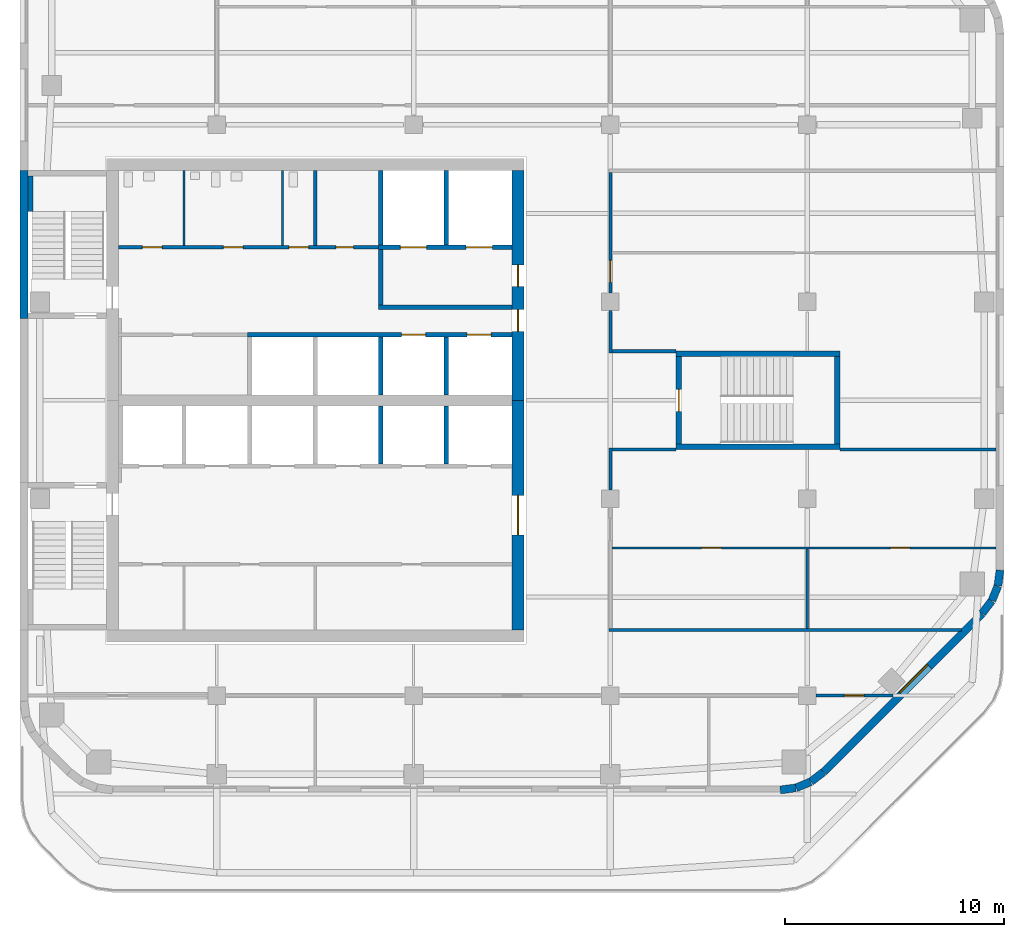
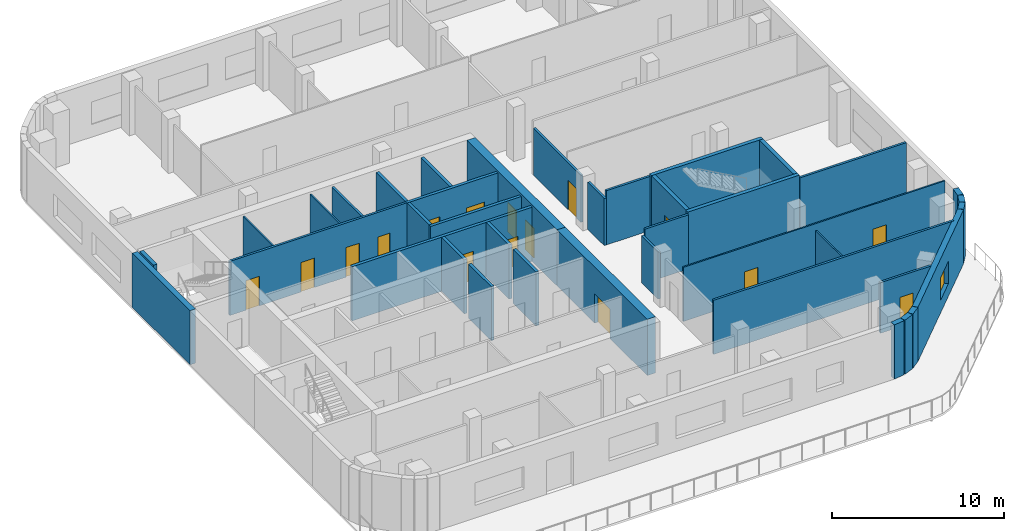
# One storey, part 4 of 8: 39 walls, 16 doors, 1 window, 17 openings.
"""IFC4 building model written with IfcOpenShell, lengths in metres."""

from ifc_helpers import new_model, si_unit, direction, frame, frame_2d, origin, place, context, subcontext, project, spatial, rectangle, extrude, material, layer, layer_set, type_object, element, fill, save


model = new_model("IFC4")

# Units and contexts
model_context = context("Model", 3, precision=1e-05, world=origin(), true_north=direction((0.0, 1.0)))
body_context = subcontext(model_context, "Body", "Model", "MODEL_VIEW")
ifc_project = project(units=[si_unit("LENGTHUNIT", "METRE"), si_unit("AREAUNIT", "SQUARE_METRE"), si_unit("VOLUMEUNIT", "CUBIC_METRE"), si_unit("PLANEANGLEUNIT", "RADIAN"), si_unit("MASSUNIT", "GRAM", prefix="KILO")], contexts=[model_context])

# Site, building, storey
site_placement = place(None, origin())
site = spatial("IfcSite", under=ifc_project, at=site_placement, CompositionType="ELEMENT")
building_placement = place(site_placement, origin())
building = spatial("IfcBuilding", under=site, at=building_placement, Name="Cinnabar Reach Civic Tower", CompositionType="ELEMENT")
storey_placement = place(building_placement, frame((0.0, 0.0, 198.0)))
storey = spatial("IfcBuildingStorey", under=building, at=storey_placement, Name="L47", CompositionType="ELEMENT", Elevation=198.0)

# Walls
ifc_material_1 = material(Name="Facing brick with insulated backing", Category="masonry")
ifc_layer_1 = layer(ifc_material_1, 0.36)
ifc_layer_set_1 = layer_set([ifc_layer_1], Name="Brick corner wall")
wall_type_1 = type_object("IfcWallType", Name="Brick corner wall", PredefinedType="STANDARD", material=ifc_layer_set_1)
for number, where, z_axis, x_axis, name in (
    (1, (34.7686, 13.683, 0.0), (0.0, 0.0, 1.0), (0.99144092581, 0.13055608231, 0.0), "Brick corner wall"),
    (2, (35.4973, 13.7819, 0.0), (0.0, 0.0, 1.0), (0.923871547278, 0.382702709855, 0.0), "Brick corner wall"),
):
    element("IfcWall", number, at=place(storey_placement, frame(where, z_axis=z_axis, x_axis=x_axis)), inside=storey, type_object=wall_type_1, Name=name, PredefinedType="STANDARD", context=body_context, shape_type="SweptSolid", body=[
        extrude(rectangle(XDim=0.7131, YDim=0.36, at=frame_2d((0.3565, 0.0))), origin(), (0.0, 0.0, 1.0), 3.85),
    ])
for number, where, z_axis, x_axis, name in (
    (3, (36.1755, 14.066, 0.0), (0.0, 0.0, 1.0), (0.793321924995, 0.608802368033, 0.0), "Brick corner wall"),
    (4, (43.9998, 21.7587, 0.0), (0.0, 0.0, 1.0), (0.608802368033, 0.793321924995, 0.0), "Brick corner wall"),
):
    element("IfcWall", number, at=place(storey_placement, frame(where, z_axis=z_axis, x_axis=x_axis)), inside=storey, type_object=wall_type_1, Name=name, PredefinedType="STANDARD", context=body_context, shape_type="SweptSolid", body=[
        extrude(rectangle(XDim=0.7132, YDim=0.36, at=frame_2d((0.3566, 0.0))), origin(), (0.0, 0.0, 1.0), 3.85),
    ])
for number, where, z_axis, x_axis, name in (
    (5, (44.4452, 22.3439, 0.0), (0.0, 0.0, 1.0), (0.382702709855, 0.923871547278, 0.0), "Brick corner wall"),
    (6, (44.7239, 23.0244, 0.0), (0.0, 0.0, 1.0), (0.13055608231, 0.99144092581, 0.0), "Brick corner wall"),
):
    element("IfcWall", number, at=place(storey_placement, frame(where, z_axis=z_axis, x_axis=x_axis)), inside=storey, type_object=wall_type_1, Name=name, PredefinedType="STANDARD", context=body_context, shape_type="SweptSolid", body=[
        extrude(rectangle(XDim=0.7131, YDim=0.36, at=frame_2d((0.3565, 0.0))), origin(), (0.0, 0.0, 1.0), 3.85),
    ])

# Wall, opening, window
ifc_layer_2 = layer(ifc_material_1, 0.36)
ifc_layer_set_2 = layer_set([ifc_layer_2], Name="Brick pier and spandrel wall")
wall_type_2 = type_object("IfcWallType", Name="Brick pier and spandrel wall", PredefinedType="STANDARD", material=ifc_layer_set_2)
wall_1_placement = place(storey_placement, frame((36.7514, 14.506, 0.0), z_axis=(0.0, 0.0, 1.0), x_axis=(0.707106781187, 0.707106781187, 0.0)))
wall_1 = element("IfcWall", 7, at=wall_1_placement, inside=storey, type_object=wall_type_2, Name="Brick facade wall", PredefinedType="STANDARD", context=body_context, shape_type="SweptSolid", body=[
    extrude(rectangle(XDim=10.2426, YDim=0.36, at=frame_2d((5.1213, 0.0))), origin(), (0.0, 0.0, 1.0), 3.85),
])
opening_1_placement = place(wall_1_placement, frame((5.0213, 0.0, 0.9)))
opening_1 = element("IfcOpeningElement", 8, at=opening_1_placement, cuts=wall_1, Name="Opening W1966", PredefinedType="OPENING", context=body_context, shape_type="SweptSolid", body=[
    extrude(rectangle(XDim=1.8, YDim=1.6, at=frame_2d((0.9, 0.8))), frame((0.0, 0.19, 0.0), z_axis=(0.0, -1.0, 0.0), x_axis=(1.0, 0.0, 0.0)), (0.0, 0.0, 1.0), 0.38),
])
ifc_material_2 = material(Name="Clear double glazing in aluminium frame", Category="aluminium")
window_type = type_object("IfcWindowType", Name="Deep-set window D", PartitioningType="SINGLE_PANEL", PredefinedType="WINDOW", material=ifc_material_2)
window_placement = place(opening_1_placement, origin())
window = element("IfcWindow", 9, at=window_placement, inside=storey, type_object=window_type, Name="Window southeast face", OverallHeight=1.6, OverallWidth=1.8, PartitioningType="SINGLE_PANEL", PredefinedType="WINDOW", context=body_context, shape_type="SweptSolid", body=[
    extrude(rectangle(XDim=1.8, YDim=1.6, at=frame_2d((0.9, 0.8))), frame((0.0, 0.13, 0.0), z_axis=(0.0, -1.0, 0.0), x_axis=(1.0, 0.0, 0.0)), (0.0, 0.0, 1.0), 0.06),
])
fill(opening_1, window)

# Wall
wall_2_placement = place(storey_placement, frame((0.18, 42.0, 0.0), z_axis=(0.0, 0.0, 1.0), x_axis=(0.0, -1.0, 0.0)))
element("IfcWall", 10, at=wall_2_placement, inside=storey, type_object=wall_type_2, Name="Brick facade wall", PredefinedType="STANDARD", context=body_context, shape_type="SweptSolid", body=[
    extrude(rectangle(XDim=6.75, YDim=0.36, at=frame_2d((3.375, 0.0))), origin(), (0.0, 0.0, 1.0), 3.85),
])

# Wall, opening, door
ifc_material_3 = material(Name="Concrete C60", Category="concrete")
ifc_layer_3 = layer(ifc_material_3, 0.55)
ifc_layer_set_3 = layer_set([ifc_layer_3], Name="Core wall 550 EI 180")
wall_type_3 = type_object("IfcWallType", Name="Core wall 550 EI 180", PredefinedType="SOLIDWALL", material=ifc_layer_set_3)
wall_3_placement = place(storey_placement, frame((22.775, 21.0, 0.0), z_axis=(0.0, 0.0, 1.0), x_axis=(0.0, 1.0, 0.0)))
wall_3 = element("IfcWall", 11, at=wall_3_placement, inside=storey, type_object=wall_type_3, Name="Core wall T1 L47 E", PredefinedType="SOLIDWALL", context=body_context, shape_type="SweptSolid", body=[
    extrude(rectangle(XDim=10.5, YDim=0.55, at=frame_2d((5.25, 0.0))), origin(), (0.0, 0.0, 1.0), 4.0),
])
opening_2_placement = place(wall_3_placement, frame((4.35, 0.0, 0.0)))
opening_2 = element("IfcOpeningElement", 12, at=opening_2_placement, cuts=wall_3, Name="Opening D4925", PredefinedType="OPENING", context=body_context, shape_type="SweptSolid", body=[
    extrude(rectangle(XDim=1.8, YDim=2.1, at=frame_2d((0.9, 1.05))), frame((0.0, 0.285, 0.0), z_axis=(0.0, -1.0, 0.0), x_axis=(1.0, 0.0, 0.0)), (0.0, 0.0, 1.0), 0.57),
])
ifc_material_4 = material(Name="Timber door leaf in steel frame", Category="steel")
door_type_1 = type_object("IfcDoorType", Name="Double swing door 1800 x 2100 T1", OperationType="DOUBLE_DOOR_DOUBLE_SWING", PredefinedType="DOOR", material=ifc_material_4)
door_1_placement = place(opening_2_placement, origin())
door_1 = element("IfcDoor", 13, at=door_1_placement, inside=storey, type_object=door_type_1, Name="Door D4925", OperationType="DOUBLE_DOOR_DOUBLE_SWING", OverallHeight=2.1, OverallWidth=1.8, PredefinedType="DOOR", context=body_context, shape_type="SweptSolid", body=[
    extrude(rectangle(XDim=1.8, YDim=2.1, at=frame_2d((0.9, 1.05))), frame((0.0, 0.025, 0.0), z_axis=(0.0, -1.0, 0.0), x_axis=(1.0, 0.0, 0.0)), (0.0, 0.0, 1.0), 0.05),
])
fill(opening_2, door_1)

# Wall, openings, doors
wall_4_placement = place(storey_placement, frame((22.775, 31.5, 0.0), z_axis=(0.0, 0.0, 1.0), x_axis=(0.0, 1.0, 0.0)))
wall_4 = element("IfcWall", 14, at=wall_4_placement, inside=storey, type_object=wall_type_3, Name="Core wall T1 L47 E2", PredefinedType="SOLIDWALL", context=body_context, shape_type="SweptSolid", body=[
    extrude(rectangle(XDim=10.5, YDim=0.55, at=frame_2d((5.25, 0.0))), origin(), (0.0, 0.0, 1.0), 4.0),
])
opening_3_placement = place(wall_4_placement, frame((3.15, 0.0, 0.0)))
opening_3 = element("IfcOpeningElement", 15, at=opening_3_placement, cuts=wall_4, Name="Opening D4926", PredefinedType="OPENING", context=body_context, shape_type="SweptSolid", body=[
    extrude(rectangle(XDim=1.0, YDim=2.1, at=frame_2d((0.5, 1.05))), frame((0.0, 0.285, 0.0), z_axis=(0.0, -1.0, 0.0), x_axis=(1.0, 0.0, 0.0)), (0.0, 0.0, 1.0), 0.57),
])
opening_4_placement = place(wall_4_placement, frame((5.2, 0.0, 0.0)))
opening_4 = element("IfcOpeningElement", 16, at=opening_4_placement, cuts=wall_4, Name="Opening D4927", PredefinedType="OPENING", context=body_context, shape_type="SweptSolid", body=[
    extrude(rectangle(XDim=1.0, YDim=2.1, at=frame_2d((0.5, 1.05))), frame((0.0, 0.285, 0.0), z_axis=(0.0, -1.0, 0.0), x_axis=(1.0, 0.0, 0.0)), (0.0, 0.0, 1.0), 0.57),
])
door_type_2 = type_object("IfcDoorType", Name="Firefighting lobby door 1000 x 2100 T1", OperationType="SINGLE_SWING_LEFT", PredefinedType="DOOR", material=ifc_material_4)
door_2_placement = place(opening_4_placement, origin())
door_2 = element("IfcDoor", 17, at=door_2_placement, inside=storey, type_object=door_type_2, Name="Door D4927", OperationType="SINGLE_SWING_LEFT", OverallHeight=2.1, OverallWidth=1.0, PredefinedType="DOOR", context=body_context, shape_type="SweptSolid", body=[
    extrude(rectangle(XDim=1.0, YDim=2.1, at=frame_2d((0.5, 1.05))), frame((0.0, 0.025, 0.0), z_axis=(0.0, -1.0, 0.0), x_axis=(1.0, 0.0, 0.0)), (0.0, 0.0, 1.0), 0.05),
])
fill(opening_4, door_2)
door_type_3 = type_object("IfcDoorType", Name="Single swing door 1000 x 2100 T1", OperationType="SINGLE_SWING_LEFT", PredefinedType="DOOR", material=ifc_material_4)
door_3_placement = place(opening_3_placement, origin())
door_3 = element("IfcDoor", 18, at=door_3_placement, inside=storey, type_object=door_type_3, Name="Door D4926", OperationType="SINGLE_SWING_RIGHT", OverallHeight=2.1, OverallWidth=1.0, PredefinedType="DOOR", context=body_context, shape_type="SweptSolid", body=[
    extrude(rectangle(XDim=1.0, YDim=2.1, at=frame_2d((0.5, 1.05))), frame((0.0, 0.025, 0.0), z_axis=(0.0, -1.0, 0.0), x_axis=(1.0, 0.0, 0.0)), (0.0, 0.0, 1.0), 0.05),
])
fill(opening_3, door_3)

# Wall, opening, door
ifc_material_5 = material(Name="Gypsum board on steel studs, double layer", Category="steel")
ifc_layer_4 = layer(ifc_material_5, 0.15)
ifc_layer_set_4 = layer_set([ifc_layer_4], Name="Corridor wall 150 T1")
wall_type_4 = type_object("IfcWallType", Name="Corridor wall 150 T1", PredefinedType="PARTITIONING", material=ifc_layer_set_4)
wall_5_placement = place(storey_placement, frame((36.4, 18.0, 0.0), z_axis=(0.0, 0.0, 1.0), x_axis=(1.0, 0.0, 0.0)))
wall_5 = element("IfcWall", 19, at=wall_5_placement, inside=storey, type_object=wall_type_4, Name="Corridor wall 19", PredefinedType="PARTITIONING", context=body_context, shape_type="SweptSolid", body=[
    extrude(rectangle(XDim=3.516, YDim=0.15, at=frame_2d((1.758, 0.0))), origin(), (0.0, 0.0, 1.0), 3.602),
])
opening_5_placement = place(wall_5_placement, frame((1.3, 0.0, 0.0)))
opening_5 = element("IfcOpeningElement", 20, at=opening_5_placement, cuts=wall_5, Name="Opening D4944", PredefinedType="OPENING", context=body_context, shape_type="SweptSolid", body=[
    extrude(rectangle(XDim=0.9, YDim=2.1, at=frame_2d((0.45, 1.05))), frame((0.0, 0.085, 0.0), z_axis=(0.0, -1.0, 0.0), x_axis=(1.0, 0.0, 0.0)), (0.0, 0.0, 1.0), 0.17),
])
door_type_4 = type_object("IfcDoorType", Name="Single swing door 900 x 2100 corridor T1", OperationType="SINGLE_SWING_LEFT", PredefinedType="DOOR", material=ifc_material_4)
door_4_placement = place(opening_5_placement, frame((0.9, 0.0, 0.0), z_axis=(0.0, 0.0, 1.0), x_axis=(-1.0, 0.0, 0.0)))
door_4 = element("IfcDoor", 21, at=door_4_placement, inside=storey, type_object=door_type_4, Name="Door D4944", OperationType="SINGLE_SWING_LEFT", OverallHeight=2.1, OverallWidth=0.9, PredefinedType="DOOR", context=body_context, shape_type="SweptSolid", body=[
    extrude(rectangle(XDim=0.9, YDim=2.1, at=frame_2d((0.45, 1.05))), frame((0.0, 0.025, 0.0), z_axis=(0.0, -1.0, 0.0), x_axis=(1.0, 0.0, 0.0)), (0.0, 0.0, 1.0), 0.05),
])
fill(opening_5, door_4)

# Wall
wall_6_placement = place(storey_placement, frame((26.925, 21.0, 0.0), z_axis=(0.0, 0.0, 1.0), x_axis=(1.0, 0.0, 0.0)))
element("IfcWall", 22, at=wall_6_placement, inside=storey, type_object=wall_type_4, Name="Corridor wall 26", PredefinedType="PARTITIONING", context=body_context, shape_type="SweptSolid", body=[
    extrude(rectangle(XDim=16.1409, YDim=0.15, at=frame_2d((8.0704, 0.0))), origin(), (0.0, 0.0, 1.0), 3.85),
])

# Wall, openings, doors
wall_7_placement = place(storey_placement, frame((4.5, 38.5, 0.0), z_axis=(0.0, 0.0, 1.0), x_axis=(1.0, 0.0, 0.0)))
wall_7 = element("IfcWall", 23, at=wall_7_placement, inside=storey, type_object=wall_type_4, Name="Corridor wall 27", PredefinedType="PARTITIONING", context=body_context, shape_type="SweptSolid", body=[
    extrude(rectangle(XDim=11.9, YDim=0.15, at=frame_2d((5.95, 0.0))), origin(), (0.0, 0.0, 1.0), 3.85),
])
opening_6_placement = place(wall_7_placement, frame((1.1, 0.0, 0.0)))
opening_6 = element("IfcOpeningElement", 24, at=opening_6_placement, cuts=wall_7, Name="Opening D4933", PredefinedType="OPENING", context=body_context, shape_type="SweptSolid", body=[
    extrude(rectangle(XDim=0.9, YDim=2.1, at=frame_2d((0.45, 1.05))), frame((0.0, 0.085, 0.0), z_axis=(0.0, -1.0, 0.0), x_axis=(1.0, 0.0, 0.0)), (0.0, 0.0, 1.0), 0.17),
])
opening_7_placement = place(wall_7_placement, frame((4.8, 0.0, 0.0)))
opening_7 = element("IfcOpeningElement", 25, at=opening_7_placement, cuts=wall_7, Name="Opening D4934", PredefinedType="OPENING", context=body_context, shape_type="SweptSolid", body=[
    extrude(rectangle(XDim=0.9, YDim=2.1, at=frame_2d((0.45, 1.05))), frame((0.0, 0.085, 0.0), z_axis=(0.0, -1.0, 0.0), x_axis=(1.0, 0.0, 0.0)), (0.0, 0.0, 1.0), 0.17),
])
opening_8_placement = place(wall_7_placement, frame((7.8, 0.0, 0.0)))
opening_8 = element("IfcOpeningElement", 26, at=opening_8_placement, cuts=wall_7, Name="Opening D4935", PredefinedType="OPENING", context=body_context, shape_type="SweptSolid", body=[
    extrude(rectangle(XDim=0.9, YDim=2.1, at=frame_2d((0.45, 1.05))), frame((0.0, 0.085, 0.0), z_axis=(0.0, -1.0, 0.0), x_axis=(1.0, 0.0, 0.0)), (0.0, 0.0, 1.0), 0.17),
])
opening_9_placement = place(wall_7_placement, frame((9.95, 0.0, 0.0)))
opening_9 = element("IfcOpeningElement", 27, at=opening_9_placement, cuts=wall_7, Name="Opening D4936", PredefinedType="OPENING", context=body_context, shape_type="SweptSolid", body=[
    extrude(rectangle(XDim=0.8, YDim=2.1, at=frame_2d((0.4, 1.05))), frame((0.0, 0.085, 0.0), z_axis=(0.0, -1.0, 0.0), x_axis=(1.0, 0.0, 0.0)), (0.0, 0.0, 1.0), 0.17),
])
door_type_5 = type_object("IfcDoorType", Name="Riser access door 800 x 2100 T1", OperationType="SINGLE_SWING_LEFT", PredefinedType="DOOR", material=ifc_material_4)
door_5_placement = place(opening_9_placement, origin())
door_5 = element("IfcDoor", 28, at=door_5_placement, inside=storey, type_object=door_type_5, Name="Door D4936", OperationType="SINGLE_SWING_RIGHT", OverallHeight=2.1, OverallWidth=0.8, PredefinedType="DOOR", context=body_context, shape_type="SweptSolid", body=[
    extrude(rectangle(XDim=0.8, YDim=2.1, at=frame_2d((0.4, 1.05))), frame((0.0, 0.025, 0.0), z_axis=(0.0, -1.0, 0.0), x_axis=(1.0, 0.0, 0.0)), (0.0, 0.0, 1.0), 0.05),
])
fill(opening_9, door_5)
door_6_placement = place(opening_6_placement, origin())
door_6 = element("IfcDoor", 29, at=door_6_placement, inside=storey, type_object=door_type_4, Name="Door D4933", OperationType="SINGLE_SWING_RIGHT", OverallHeight=2.1, OverallWidth=0.9, PredefinedType="DOOR", context=body_context, shape_type="SweptSolid", body=[
    extrude(rectangle(XDim=0.9, YDim=2.1, at=frame_2d((0.45, 1.05))), frame((0.0, 0.025, 0.0), z_axis=(0.0, -1.0, 0.0), x_axis=(1.0, 0.0, 0.0)), (0.0, 0.0, 1.0), 0.05),
])
fill(opening_6, door_6)
door_7_placement = place(opening_7_placement, origin())
door_7 = element("IfcDoor", 30, at=door_7_placement, inside=storey, type_object=door_type_4, Name="Door D4934", OperationType="SINGLE_SWING_RIGHT", OverallHeight=2.1, OverallWidth=0.9, PredefinedType="DOOR", context=body_context, shape_type="SweptSolid", body=[
    extrude(rectangle(XDim=0.9, YDim=2.1, at=frame_2d((0.45, 1.05))), frame((0.0, 0.025, 0.0), z_axis=(0.0, -1.0, 0.0), x_axis=(1.0, 0.0, 0.0)), (0.0, 0.0, 1.0), 0.05),
])
fill(opening_7, door_7)
door_8_placement = place(opening_8_placement, origin())
door_8 = element("IfcDoor", 31, at=door_8_placement, inside=storey, type_object=door_type_4, Name="Door D4935", OperationType="SINGLE_SWING_RIGHT", OverallHeight=2.1, OverallWidth=0.9, PredefinedType="DOOR", context=body_context, shape_type="SweptSolid", body=[
    extrude(rectangle(XDim=0.9, YDim=2.1, at=frame_2d((0.45, 1.05))), frame((0.0, 0.025, 0.0), z_axis=(0.0, -1.0, 0.0), x_axis=(1.0, 0.0, 0.0)), (0.0, 0.0, 1.0), 0.05),
])
fill(opening_8, door_8)

# Walls
for number, where, z_axis, x_axis, name in (
    (32, (27.0, 27.4, 0.0), (0.0, 0.0, 1.0), (0.0, 1.0, 0.0), "Corridor wall 29"),
    (33, (27.0, 33.675, 0.0), (0.0, 0.0, 1.0), (0.0, 1.0, 0.0), "Corridor wall 30"),
):
    element("IfcWall", number, at=place(storey_placement, frame(where, z_axis=z_axis, x_axis=x_axis)), inside=storey, type_object=wall_type_4, Name=name, PredefinedType="PARTITIONING", context=body_context, shape_type="SweptSolid", body=[
        extrude(rectangle(XDim=1.925, YDim=0.15, at=frame_2d((0.9625, 0.0))), origin(), (0.0, 0.0, 1.0), 3.35),
    ])

# Wall, opening, door
wall_8_placement = place(storey_placement, frame((27.0, 36.4, 0.0), z_axis=(0.0, 0.0, 1.0), x_axis=(0.0, 1.0, 0.0)))
wall_8 = element("IfcWall", 34, at=wall_8_placement, inside=storey, type_object=wall_type_4, Name="Corridor wall 31", PredefinedType="PARTITIONING", context=body_context, shape_type="SweptSolid", body=[
    extrude(rectangle(XDim=5.525, YDim=0.15, at=frame_2d((2.7625, 0.0))), origin(), (0.0, 0.0, 1.0), 3.35),
])
opening_10_placement = place(wall_8_placement, frame((0.5, 0.0, 0.0)))
opening_10 = element("IfcOpeningElement", 35, at=opening_10_placement, cuts=wall_8, Name="Opening D4937", PredefinedType="OPENING", context=body_context, shape_type="SweptSolid", body=[
    extrude(rectangle(XDim=1.0, YDim=2.1, at=frame_2d((0.5, 1.05))), frame((0.0, 0.085, 0.0), z_axis=(0.0, -1.0, 0.0), x_axis=(1.0, 0.0, 0.0)), (0.0, 0.0, 1.0), 0.17),
])
door_type_6 = type_object("IfcDoorType", Name="Tenancy entrance door 1000 x 2100 T1", OperationType="SINGLE_SWING_LEFT", PredefinedType="DOOR", material=ifc_material_4)
door_9_placement = place(opening_10_placement, frame((1.0, 0.0, 0.0), z_axis=(0.0, 0.0, 1.0), x_axis=(-1.0, 0.0, 0.0)))
door_9 = element("IfcDoor", 36, at=door_9_placement, inside=storey, type_object=door_type_6, Name="Door D4937", OperationType="SINGLE_SWING_LEFT", OverallHeight=2.1, OverallWidth=1.0, PredefinedType="DOOR", context=body_context, shape_type="SweptSolid", body=[
    extrude(rectangle(XDim=1.0, YDim=2.1, at=frame_2d((0.5, 1.05))), frame((0.0, 0.025, 0.0), z_axis=(0.0, -1.0, 0.0), x_axis=(1.0, 0.0, 0.0)), (0.0, 0.0, 1.0), 0.05),
])
fill(opening_10, door_9)

# Walls
for number, where, z_axis, x_axis, name in (
    (37, (27.075, 29.25, 0.0), (0.0, 0.0, 1.0), (1.0, 0.0, 0.0), "Corridor wall 35"),
    (38, (27.075, 33.75, 0.0), (0.0, 0.0, 1.0), (1.0, 0.0, 0.0), "Corridor wall 36"),
):
    element("IfcWall", number, at=place(storey_placement, frame(where, z_axis=z_axis, x_axis=x_axis)), inside=storey, type_object=wall_type_4, Name=name, PredefinedType="PARTITIONING", context=body_context, shape_type="SweptSolid", body=[
        extrude(rectangle(XDim=2.925, YDim=0.15, at=frame_2d((1.4625, 0.0))), origin(), (0.0, 0.0, 1.0), 3.85),
    ])

# Wall, openings, doors
ifc_material_6 = material(Name="Blockwork", Category="masonry")
ifc_layer_5 = layer(ifc_material_6, 0.2)
ifc_layer_set_5 = layer_set([ifc_layer_5], Name="Lift shaft wall 200 T1")
wall_type_5 = type_object("IfcWallType", Name="Lift shaft wall 200 T1", PredefinedType="PARTITIONING", material=ifc_layer_set_5)
wall_9_placement = place(storey_placement, frame((10.4, 34.5, 0.0), z_axis=(0.0, 0.0, 1.0), x_axis=(1.0, 0.0, 0.0)))
wall_9 = element("IfcWall", 39, at=wall_9_placement, inside=storey, type_object=wall_type_5, Name="Lift shaft wall 5", PredefinedType="PARTITIONING", context=body_context, shape_type="SweptSolid", body=[
    extrude(rectangle(XDim=12.1, YDim=0.2, at=frame_2d((6.05, 0.0))), origin(), (0.0, 0.0, 1.0), 3.85),
])
opening_11_placement = place(wall_9_placement, frame((7.05, 0.0, 0.0)))
opening_11 = element("IfcOpeningElement", 40, at=opening_11_placement, cuts=wall_9, Name="Opening D4921", PredefinedType="OPENING", context=body_context, shape_type="SweptSolid", body=[
    extrude(rectangle(XDim=1.1, YDim=2.1, at=frame_2d((0.55, 1.05))), frame((0.0, 0.11, 0.0), z_axis=(0.0, -1.0, 0.0), x_axis=(1.0, 0.0, 0.0)), (0.0, 0.0, 1.0), 0.22),
])
opening_12_placement = place(wall_9_placement, frame((10.05, 0.0, 0.0)))
opening_12 = element("IfcOpeningElement", 41, at=opening_12_placement, cuts=wall_9, Name="Opening D4922", PredefinedType="OPENING", context=body_context, shape_type="SweptSolid", body=[
    extrude(rectangle(XDim=1.1, YDim=2.1, at=frame_2d((0.55, 1.05))), frame((0.0, 0.11, 0.0), z_axis=(0.0, -1.0, 0.0), x_axis=(1.0, 0.0, 0.0)), (0.0, 0.0, 1.0), 0.22),
])
ifc_material_7 = material(Name="Stainless steel sliding door", Category="steel")
door_type_7 = type_object("IfcDoorType", Name="Lift landing door 1100 x 2100 T1", OperationType="SLIDING_TO_LEFT", PredefinedType="DOOR", material=ifc_material_7)
door_10_placement = place(opening_11_placement, origin())
door_10 = element("IfcDoor", 42, at=door_10_placement, inside=storey, type_object=door_type_7, Name="Lift landing door SV1 L47", OperationType="SLIDING_TO_LEFT", OverallHeight=2.1, OverallWidth=1.1, PredefinedType="DOOR", context=body_context, shape_type="SweptSolid", body=[
    extrude(rectangle(XDim=1.1, YDim=2.1, at=frame_2d((0.55, 1.05))), frame((0.0, 0.025, 0.0), z_axis=(0.0, -1.0, 0.0), x_axis=(1.0, 0.0, 0.0)), (0.0, 0.0, 1.0), 0.05),
])
fill(opening_11, door_10)
door_11_placement = place(opening_12_placement, origin())
door_11 = element("IfcDoor", 43, at=door_11_placement, inside=storey, type_object=door_type_7, Name="Lift landing door SV2 L47", OperationType="SLIDING_TO_LEFT", OverallHeight=2.1, OverallWidth=1.1, PredefinedType="DOOR", context=body_context, shape_type="SweptSolid", body=[
    extrude(rectangle(XDim=1.1, YDim=2.1, at=frame_2d((0.55, 1.05))), frame((0.0, 0.025, 0.0), z_axis=(0.0, -1.0, 0.0), x_axis=(1.0, 0.0, 0.0)), (0.0, 0.0, 1.0), 0.05),
])
fill(opening_12, door_11)

# Walls
for number, where, z_axis, x_axis, name in (
    (44, (16.5, 28.6, 0.0), (0.0, 0.0, 1.0), (0.0, 1.0, 0.0), "Lift shaft wall 10"),
    (45, (16.5, 31.75, 0.0), (0.0, 0.0, 1.0), (0.0, 1.0, 0.0), "Lift shaft wall 11"),
    (46, (19.5, 28.6, 0.0), (0.0, 0.0, 1.0), (0.0, 1.0, 0.0), "Lift shaft wall 12"),
    (47, (19.5, 31.75, 0.0), (0.0, 0.0, 1.0), (0.0, 1.0, 0.0), "Lift shaft wall 13"),
):
    element("IfcWall", number, at=place(storey_placement, frame(where, z_axis=z_axis, x_axis=x_axis)), inside=storey, type_object=wall_type_5, Name=name, PredefinedType="PARTITIONING", context=body_context, shape_type="SweptSolid", body=[
        extrude(rectangle(XDim=2.65, YDim=0.2, at=frame_2d((1.325, 0.0))), origin(), (0.0, 0.0, 1.0), 3.85),
    ])
for number, where, z_axis, x_axis, name in (
    (48, (16.5, 38.6, 0.0), (0.0, 0.0, 1.0), (0.0, 1.0, 0.0), "Lift shaft wall 14"),
    (49, (19.5, 38.6, 0.0), (0.0, 0.0, 1.0), (0.0, 1.0, 0.0), "Lift shaft wall 15"),
):
    element("IfcWall", number, at=place(storey_placement, frame(where, z_axis=z_axis, x_axis=x_axis)), inside=storey, type_object=wall_type_5, Name=name, PredefinedType="PARTITIONING", context=body_context, shape_type="SweptSolid", body=[
        extrude(rectangle(XDim=3.4, YDim=0.2, at=frame_2d((1.7, 0.0))), origin(), (0.0, 0.0, 1.0), 3.85),
    ])

# Wall, openings, doors
ifc_material_8 = material(Name="Gypsum board on steel studs", Category="steel")
ifc_layer_6 = layer(ifc_material_8, 0.1)
ifc_layer_set_6 = layer_set([ifc_layer_6], Name="Partition wall 100 T1")
wall_type_6 = type_object("IfcWallType", Name="Partition wall 100 T1", PredefinedType="PARTITIONING", material=ifc_layer_set_6)
wall_10_placement = place(storey_placement, frame((27.075, 24.75, 0.0), z_axis=(0.0, 0.0, 1.0), x_axis=(1.0, 0.0, 0.0)))
wall_10 = element("IfcWall", 50, at=wall_10_placement, inside=storey, type_object=wall_type_6, Name="Partition wall 44", PredefinedType="PARTITIONING", context=body_context, shape_type="SweptSolid", body=[
    extrude(rectangle(XDim=17.565, YDim=0.1, at=frame_2d((8.7825, 0.0))), origin(), (0.0, 0.0, 1.0), 3.85),
])
opening_13_placement = place(wall_10_placement, frame((4.1, 0.0, 0.0)))
opening_13 = element("IfcOpeningElement", 51, at=opening_13_placement, cuts=wall_10, Name="Opening D4940", PredefinedType="OPENING", context=body_context, shape_type="SweptSolid", body=[
    extrude(rectangle(XDim=0.9, YDim=2.1, at=frame_2d((0.45, 1.05))), frame((0.0, 0.06, 0.0), z_axis=(0.0, -1.0, 0.0), x_axis=(1.0, 0.0, 0.0)), (0.0, 0.0, 1.0), 0.12),
])
opening_14_placement = place(wall_10_placement, frame((12.725, 0.0, 0.0)))
opening_14 = element("IfcOpeningElement", 52, at=opening_14_placement, cuts=wall_10, Name="Opening D4941", PredefinedType="OPENING", context=body_context, shape_type="SweptSolid", body=[
    extrude(rectangle(XDim=0.9, YDim=2.1, at=frame_2d((0.45, 1.05))), frame((0.0, 0.06, 0.0), z_axis=(0.0, -1.0, 0.0), x_axis=(1.0, 0.0, 0.0)), (0.0, 0.0, 1.0), 0.12),
])
door_type_8 = type_object("IfcDoorType", Name="Single swing door 900 x 2100 T1", OperationType="SINGLE_SWING_LEFT", PredefinedType="DOOR", material=ifc_material_4)
door_12_placement = place(opening_13_placement, frame((0.9, 0.0, 0.0), z_axis=(0.0, 0.0, 1.0), x_axis=(-1.0, 0.0, 0.0)))
door_12 = element("IfcDoor", 53, at=door_12_placement, inside=storey, type_object=door_type_8, Name="Door D4940", OperationType="SINGLE_SWING_LEFT", OverallHeight=2.1, OverallWidth=0.9, PredefinedType="DOOR", context=body_context, shape_type="SweptSolid", body=[
    extrude(rectangle(XDim=0.9, YDim=2.1, at=frame_2d((0.45, 1.05))), frame((0.0, 0.025, 0.0), z_axis=(0.0, -1.0, 0.0), x_axis=(1.0, 0.0, 0.0)), (0.0, 0.0, 1.0), 0.05),
])
fill(opening_13, door_12)
door_13_placement = place(opening_14_placement, frame((0.9, 0.0, 0.0), z_axis=(0.0, 0.0, 1.0), x_axis=(-1.0, 0.0, 0.0)))
door_13 = element("IfcDoor", 54, at=door_13_placement, inside=storey, type_object=door_type_8, Name="Door D4941", OperationType="SINGLE_SWING_RIGHT", OverallHeight=2.1, OverallWidth=0.9, PredefinedType="DOOR", context=body_context, shape_type="SweptSolid", body=[
    extrude(rectangle(XDim=0.9, YDim=2.1, at=frame_2d((0.45, 1.05))), frame((0.0, 0.025, 0.0), z_axis=(0.0, -1.0, 0.0), x_axis=(1.0, 0.0, 0.0)), (0.0, 0.0, 1.0), 0.05),
])
fill(opening_14, door_13)

# Walls
wall_11_placement = place(storey_placement, frame((36.0, 21.075, 0.0), z_axis=(0.0, 0.0, 1.0), x_axis=(0.0, 1.0, 0.0)))
element("IfcWall", 55, at=wall_11_placement, inside=storey, type_object=wall_type_6, Name="Partition wall 54", PredefinedType="PARTITIONING", context=body_context, shape_type="SweptSolid", body=[
    extrude(rectangle(XDim=3.625, YDim=0.1, at=frame_2d((1.8125, 0.0))), origin(), (0.0, 0.0, 1.0), 3.35),
])
for number, where, z_axis, x_axis, name in (
    (56, (7.5, 38.575, 0.0), (0.0, 0.0, 1.0), (0.0, 1.0, 0.0), "Partition wall 55"),
    (57, (12.0, 38.575, 0.0), (0.0, 0.0, 1.0), (0.0, 1.0, 0.0), "Partition wall 56"),
):
    element("IfcWall", number, at=place(storey_placement, frame(where, z_axis=z_axis, x_axis=x_axis)), inside=storey, type_object=wall_type_6, Name=name, PredefinedType="PARTITIONING", context=body_context, shape_type="SweptSolid", body=[
        extrude(rectangle(XDim=3.425, YDim=0.1, at=frame_2d((1.7125, 0.0))), origin(), (0.0, 0.0, 1.0), 3.85),
    ])
ifc_material_9 = material(Name="Concrete C40", Category="concrete")
ifc_layer_7 = layer(ifc_material_9, 0.2)
ifc_layer_set_7 = layer_set([ifc_layer_7], Name="Refuge compartment wall 200 T1")
wall_type_7 = type_object("IfcWallType", Name="Refuge compartment wall 200 T1", PredefinedType="PARTITIONING", material=ifc_layer_set_7)
wall_12_placement = place(storey_placement, frame((16.4, 35.75, 0.0), z_axis=(0.0, 0.0, 1.0), x_axis=(1.0, 0.0, 0.0)))
element("IfcWall", 58, at=wall_12_placement, inside=storey, type_object=wall_type_7, Name="Refuge compartment wall 1", PredefinedType="PARTITIONING", context=body_context, shape_type="SweptSolid", body=[
    extrude(rectangle(XDim=6.1, YDim=0.2, at=frame_2d((3.05, 0.0))), origin(), (0.0, 0.0, 1.0), 3.85),
])

# Wall, openings, doors
wall_13_placement = place(storey_placement, frame((16.4, 38.5, 0.0), z_axis=(0.0, 0.0, 1.0), x_axis=(1.0, 0.0, 0.0)))
wall_13 = element("IfcWall", 59, at=wall_13_placement, inside=storey, type_object=wall_type_7, Name="Refuge compartment wall 2", PredefinedType="PARTITIONING", context=body_context, shape_type="SweptSolid", body=[
    extrude(rectangle(XDim=6.1, YDim=0.2, at=frame_2d((3.05, 0.0))), origin(), (0.0, 0.0, 1.0), 3.85),
])
opening_15_placement = place(wall_13_placement, frame((1.0, 0.0, 0.0)))
opening_15 = element("IfcOpeningElement", 60, at=opening_15_placement, cuts=wall_13, Name="Opening D4923", PredefinedType="OPENING", context=body_context, shape_type="SweptSolid", body=[
    extrude(rectangle(XDim=1.2, YDim=2.1, at=frame_2d((0.6, 1.05))), frame((0.0, 0.11, 0.0), z_axis=(0.0, -1.0, 0.0), x_axis=(1.0, 0.0, 0.0)), (0.0, 0.0, 1.0), 0.22),
])
opening_16_placement = place(wall_13_placement, frame((4.0, 0.0, 0.0)))
opening_16 = element("IfcOpeningElement", 61, at=opening_16_placement, cuts=wall_13, Name="Opening D4924", PredefinedType="OPENING", context=body_context, shape_type="SweptSolid", body=[
    extrude(rectangle(XDim=1.2, YDim=2.1, at=frame_2d((0.6, 1.05))), frame((0.0, 0.11, 0.0), z_axis=(0.0, -1.0, 0.0), x_axis=(1.0, 0.0, 0.0)), (0.0, 0.0, 1.0), 0.22),
])
door_type_9 = type_object("IfcDoorType", Name="Firefighting lift landing door 1200 x 2100 T1", OperationType="SLIDING_TO_LEFT", PredefinedType="DOOR", material=ifc_material_7)
door_14_placement = place(opening_15_placement, origin())
door_14 = element("IfcDoor", 62, at=door_14_placement, inside=storey, type_object=door_type_9, Name="Lift landing door FF1 L47", OperationType="SLIDING_TO_LEFT", OverallHeight=2.1, OverallWidth=1.2, PredefinedType="DOOR", context=body_context, shape_type="SweptSolid", body=[
    extrude(rectangle(XDim=1.2, YDim=2.1, at=frame_2d((0.6, 1.05))), frame((0.0, 0.025, 0.0), z_axis=(0.0, -1.0, 0.0), x_axis=(1.0, 0.0, 0.0)), (0.0, 0.0, 1.0), 0.05),
])
fill(opening_15, door_14)
door_15_placement = place(opening_16_placement, origin())
door_15 = element("IfcDoor", 63, at=door_15_placement, inside=storey, type_object=door_type_9, Name="Lift landing door FF2 L47", OperationType="SLIDING_TO_LEFT", OverallHeight=2.1, OverallWidth=1.2, PredefinedType="DOOR", context=body_context, shape_type="SweptSolid", body=[
    extrude(rectangle(XDim=1.2, YDim=2.1, at=frame_2d((0.6, 1.05))), frame((0.0, 0.025, 0.0), z_axis=(0.0, -1.0, 0.0), x_axis=(1.0, 0.0, 0.0)), (0.0, 0.0, 1.0), 0.05),
])
fill(opening_16, door_15)

# Walls
wall_14_placement = place(storey_placement, frame((16.5, 35.85, 0.0), z_axis=(0.0, 0.0, 1.0), x_axis=(0.0, 1.0, 0.0)))
element("IfcWall", 64, at=wall_14_placement, inside=storey, type_object=wall_type_7, Name="Refuge compartment wall 3", PredefinedType="PARTITIONING", context=body_context, shape_type="SweptSolid", body=[
    extrude(rectangle(XDim=2.55, YDim=0.2, at=frame_2d((1.275, 0.0))), origin(), (0.0, 0.0, 1.0), 3.85),
])
ifc_layer_8 = layer(ifc_material_6, 0.15)
ifc_layer_set_8 = layer_set([ifc_layer_8], Name="Riser wall 150 T1")
wall_type_8 = type_object("IfcWallType", Name="Riser wall 150 T1", PredefinedType="PARTITIONING", material=ifc_layer_set_8)
wall_15_placement = place(storey_placement, frame((13.5, 38.575, 0.0), z_axis=(0.0, 0.0, 1.0), x_axis=(0.0, 1.0, 0.0)))
element("IfcWall", 65, at=wall_15_placement, inside=storey, type_object=wall_type_8, Name="Riser wall 38", PredefinedType="PARTITIONING", context=body_context, shape_type="SweptSolid", body=[
    extrude(rectangle(XDim=3.425, YDim=0.15, at=frame_2d((1.7125, 0.0))), origin(), (0.0, 0.0, 1.0), 3.85),
])
ifc_layer_9 = layer(ifc_material_3, 0.25)
ifc_layer_set_9 = layer_set([ifc_layer_9], Name="Stair shaft wall 250 EI 120")
wall_type_9 = type_object("IfcWallType", Name="Stair shaft wall 250 EI 120", PredefinedType="SOLIDWALL", material=ifc_layer_set_9)
for number, where, z_axis, x_axis, name in (
    (66, (30.0, 29.375, 0.0), (0.0, 0.0, 1.0), (1.0, 0.0, 0.0), "Stair shaft wall T1-S3 L47"),
    (67, (37.5, 33.625, 0.0), (0.0, 0.0, 1.0), (-1.0, 0.0, 0.0), "Stair shaft wall T1-S3 L47"),
):
    element("IfcWall", number, at=place(storey_placement, frame(where, z_axis=z_axis, x_axis=x_axis)), inside=storey, type_object=wall_type_9, Name=name, PredefinedType="SOLIDWALL", context=body_context, shape_type="SweptSolid", body=[
        extrude(rectangle(XDim=7.5, YDim=0.25, at=frame_2d((3.75, 0.0))), origin(), (0.0, 0.0, 1.0), 4.0),
    ])
wall_16_placement = place(storey_placement, frame((37.375, 29.5, 0.0), z_axis=(0.0, 0.0, 1.0), x_axis=(0.0, 1.0, 0.0)))
element("IfcWall", 68, at=wall_16_placement, inside=storey, type_object=wall_type_9, Name="Stair shaft wall T1-S3 L47", PredefinedType="SOLIDWALL", context=body_context, shape_type="SweptSolid", body=[
    extrude(rectangle(XDim=4.0, YDim=0.25, at=frame_2d((2.0, 0.0))), origin(), (0.0, 0.0, 1.0), 4.0),
])

# Wall, opening, door
wall_17_placement = place(storey_placement, frame((30.125, 33.5, 0.0), z_axis=(0.0, 0.0, 1.0), x_axis=(0.0, -1.0, 0.0)))
wall_17 = element("IfcWall", 69, at=wall_17_placement, inside=storey, type_object=wall_type_9, Name="Stair shaft wall T1-S3 L47", PredefinedType="SOLIDWALL", context=body_context, shape_type="SweptSolid", body=[
    extrude(rectangle(XDim=4.0, YDim=0.25, at=frame_2d((2.0, 0.0))), origin(), (0.0, 0.0, 1.0), 4.0),
])
opening_17_placement = place(wall_17_placement, frame((1.5, 0.0, 0.0)))
opening_17 = element("IfcOpeningElement", 70, at=opening_17_placement, cuts=wall_17, Name="Opening D4928", PredefinedType="OPENING", context=body_context, shape_type="SweptSolid", body=[
    extrude(rectangle(XDim=1.0, YDim=2.1, at=frame_2d((0.5, 1.05))), frame((0.0, 0.135, 0.0), z_axis=(0.0, -1.0, 0.0), x_axis=(1.0, 0.0, 0.0)), (0.0, 0.0, 1.0), 0.27),
])
door_type_10 = type_object("IfcDoorType", Name="Stair door 1000 x 2100 T1", OperationType="SINGLE_SWING_LEFT", PredefinedType="DOOR", material=ifc_material_4)
door_16_placement = place(opening_17_placement, origin())
door_16 = element("IfcDoor", 71, at=door_16_placement, inside=storey, type_object=door_type_10, Name="Door D4928", OperationType="SINGLE_SWING_RIGHT", OverallHeight=2.1, OverallWidth=1.0, PredefinedType="DOOR", context=body_context, shape_type="SweptSolid", body=[
    extrude(rectangle(XDim=1.0, YDim=2.1, at=frame_2d((0.5, 1.05))), frame((0.0, 0.025, 0.0), z_axis=(0.0, -1.0, 0.0), x_axis=(1.0, 0.0, 0.0)), (0.0, 0.0, 1.0), 0.05),
])
fill(opening_17, door_16)

# Walls
ifc_material_10 = material(Name="Concrete C40/50", Category="concrete")
ifc_layer_10 = layer(ifc_material_10, 0.24)
ifc_layer_set_10 = layer_set([ifc_layer_10], Name="T1 landing bearer wall 240")
wall_type_10 = type_object("IfcWallType", Name="T1 landing bearer wall 240", PredefinedType="STANDARD", material=ifc_layer_set_10)
wall_18_placement = place(storey_placement, frame((0.48, 40.13, 0.0), z_axis=(0.0, 0.0, 1.0), x_axis=(0.0, 1.0, 0.0)))
element("IfcWall", 72, at=wall_18_placement, inside=storey, type_object=wall_type_10, Name="T1-S2 landing bearer wall", PredefinedType="STANDARD", context=body_context, shape_type="SweptSolid", body=[
    extrude(rectangle(XDim=1.62, YDim=0.24, at=frame_2d((0.81, 0.0))), origin(), (0.0, 0.0, 1.0), 4.0),
])
ifc_layer_11 = layer(ifc_material_5, 0.15)
ifc_layer_set_11 = layer_set([ifc_layer_11], Name="Tenancy separating wall 150 T1")
wall_type_11 = type_object("IfcWallType", Name="Tenancy separating wall 150 T1", PredefinedType="PARTITIONING", material=ifc_layer_set_11)
wall_19_placement = place(storey_placement, frame((37.5, 29.25, 0.0), z_axis=(0.0, 0.0, 1.0), x_axis=(1.0, 0.0, 0.0)))
element("IfcWall", 73, at=wall_19_placement, inside=storey, type_object=wall_type_11, Name="Tenancy separating wall 41", PredefinedType="PARTITIONING", context=body_context, shape_type="SweptSolid", body=[
    extrude(rectangle(XDim=7.14, YDim=0.15, at=frame_2d((3.57, 0.0))), origin(), (0.0, 0.0, 1.0), 3.85),
])

save(model, "model.ifc")
